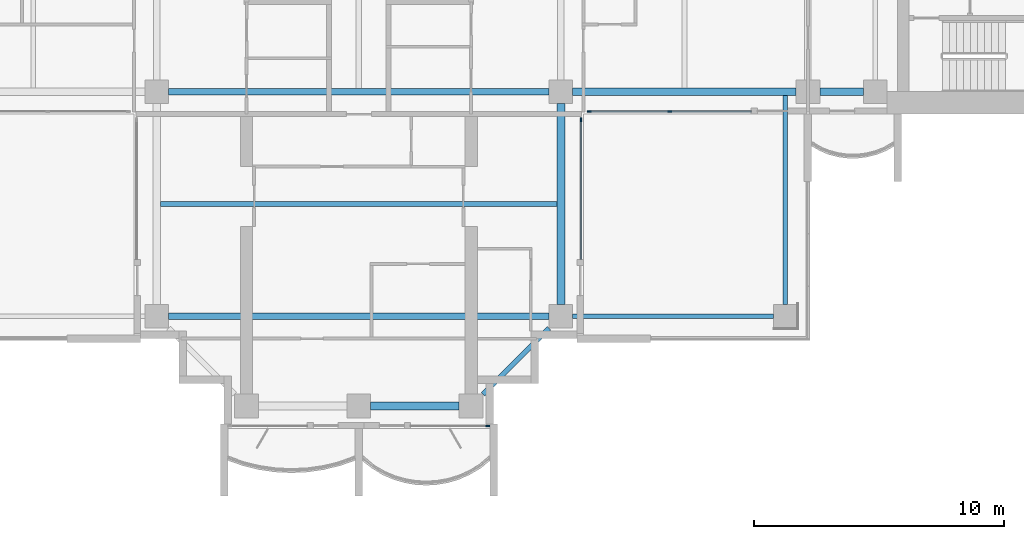
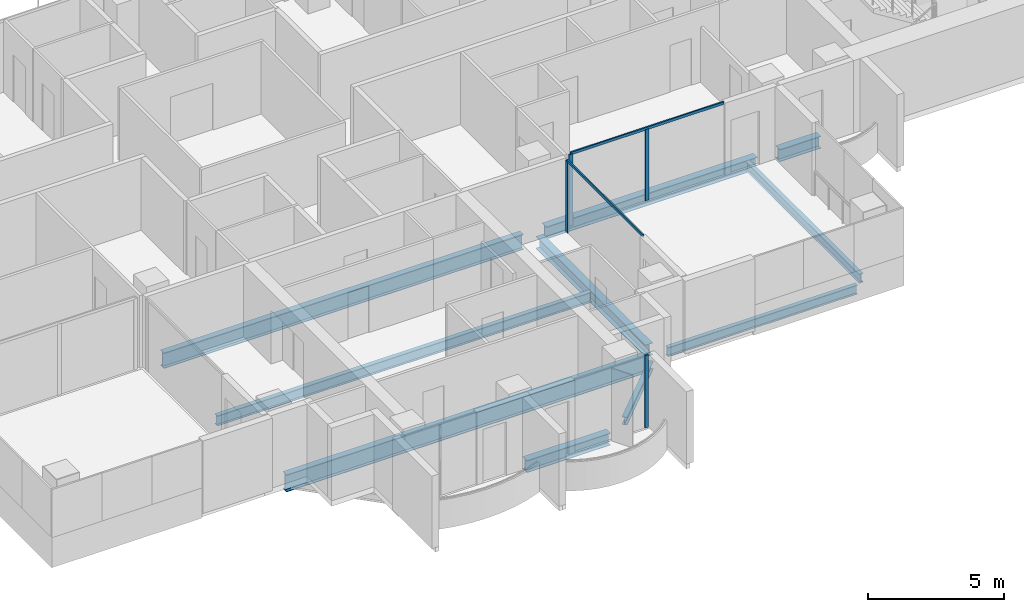
# One storey, part 3 of 18: 10 beams, 6 members, 3 elements without a shape of their own.
"""IFC4 building model written with IfcOpenShell, lengths in metres."""

from ifc_helpers import new_model, si_unit, direction, frame, origin, origin_2d, place, context, subcontext, project, spatial, rectangle, i_section, extrude, material, material_profile, profile_set, type_object, element, aggregate, save


model = new_model("IFC4")

# Units and contexts
model_context = context("Model", 3, precision=1e-05, world=origin(), true_north=direction((0.0, 1.0)))
body_context = subcontext(model_context, "Body", "Model", "MODEL_VIEW")
ifc_project = project(units=[si_unit("LENGTHUNIT", "METRE"), si_unit("AREAUNIT", "SQUARE_METRE"), si_unit("VOLUMEUNIT", "CUBIC_METRE"), si_unit("PLANEANGLEUNIT", "RADIAN"), si_unit("MASSUNIT", "GRAM", prefix="KILO")], contexts=[model_context])

# Site, building, storey
site_placement = place(None, origin())
site = spatial("IfcSite", under=ifc_project, at=site_placement, CompositionType="ELEMENT")
building_placement = place(site_placement, origin())
building = spatial("IfcBuilding", under=site, at=building_placement, Name="Perihelion Cross Residences", CompositionType="ELEMENT")
storey_placement = place(building_placement, frame((0.0, 0.0, 173.60009765625)))
storey = spatial("IfcBuildingStorey", under=building, at=storey_placement, Name="L42", CompositionType="ELEMENT", Elevation=173.60009765625)

# Curtain wall, member
ifc_material_1 = material(Name="Bronze anodised aluminium, tinted glazing", Category="aluminium")
curtain_wall_type = type_object("IfcCurtainWallType", Name="CW1", PredefinedType="NOTDEFINED", material=ifc_material_1)
curtain_wall_1_placement = place(storey_placement, origin())
curtain_wall_1 = element("IfcCurtainWall", 1, at=curtain_wall_1_placement, inside=storey, type_object=curtain_wall_type, Name="Curtain wall CW1 L42 south tip south bay 2", PredefinedType="NOTDEFINED")
ifc_material_2 = material(Name="Bronze anodised aluminium", Category="aluminium")
ifc_material_profile_1 = material_profile(ifc_material_2, rectangle(XDim=0.06005859375, YDim=0.159912109375, at=origin_2d()), Name="CW1 mullion")
ifc_profile_set_1 = profile_set([ifc_material_profile_1], Name="Bronze anodised aluminium")
member_type_1 = type_object("IfcMemberType", Name="CW1 mullion", PredefinedType="MULLION", material=ifc_profile_set_1)
member_1_placement = place(storey_placement, frame((5.169921875, -21.5, 0.0), z_axis=(0.0, 0.0, 1.0), x_axis=(0.0, 1.0, 0.0)))
member_1 = element("IfcMember", 2, at=member_1_placement, type_object=member_type_1, Name="CW1 mullion 2", PredefinedType="MULLION", context=body_context, shape_type="SweptSolid", body=[
    extrude(rectangle(XDim=0.06005859375, YDim=0.159912109375, at=origin_2d()), origin(), (0.0, 0.0, 1.0), 3.25),
])
aggregate(curtain_wall_1, [member_1])

curtain_wall_2_placement = place(storey_placement, origin())
curtain_wall_2 = element("IfcCurtainWall", 3, at=curtain_wall_2_placement, inside=storey, type_object=curtain_wall_type, Name="Curtain wall CW1 L42 south side east bay 1", PredefinedType="NOTDEFINED")
member_2_placement = place(storey_placement, frame((8.89990234375, -9.22998046875, 0.0), z_axis=(0.0, 0.0, 1.0), x_axis=(-1.0, 0.0, 0.0)))
member_2 = element("IfcMember", 4, at=member_2_placement, type_object=member_type_1, Name="CW1 mullion 2", PredefinedType="MULLION", context=body_context, shape_type="SweptSolid", body=[
    extrude(rectangle(XDim=0.06005859375, YDim=0.159912109375, at=origin_2d()), origin(), (0.0, 0.0, 1.0), 3.18994140625),
])

# Curtain wall, members
curtain_wall_3_placement = place(storey_placement, origin())
curtain_wall_3 = element("IfcCurtainWall", 5, at=curtain_wall_3_placement, inside=storey, type_object=curtain_wall_type, Name="Curtain wall CW1 L42 east side south bay 1", PredefinedType="NOTDEFINED")
member_3_placement = place(storey_placement, frame((9.22998046875, -8.89990234375, 0.0), z_axis=(0.0, 0.0, 1.0), x_axis=(0.0, 1.0, 0.0)))
member_3 = element("IfcMember", 6, at=member_3_placement, type_object=member_type_1, Name="CW1 mullion 1", PredefinedType="MULLION", context=body_context, shape_type="SweptSolid", body=[
    extrude(rectangle(XDim=0.06005859375, YDim=0.159912109375, at=origin_2d()), origin(), (0.0, 0.0, 1.0), 3.18994140625),
])
member_4_placement = place(storey_placement, frame((12.46240234375, -8.89990234375, 0.0), z_axis=(0.0, 0.0, 1.0), x_axis=(0.0, 1.0, 0.0)))
member_4 = element("IfcMember", 7, at=member_4_placement, type_object=member_type_1, Name="CW1 mullion 2", PredefinedType="MULLION", context=body_context, shape_type="SweptSolid", body=[
    extrude(rectangle(XDim=0.06005859375, YDim=0.159912109375, at=origin_2d()), origin(), (0.0, 0.0, 1.0), 3.18994140625),
])

# Member
ifc_material_3 = material(Name="Bronze anodised aluminium", Category="aluminium")
ifc_material_profile_2 = material_profile(ifc_material_3, rectangle(XDim=0.06005859375, YDim=0.1201171875, at=origin_2d()), Name="CW1 transom")
ifc_profile_set_2 = profile_set([ifc_material_profile_2], Name="Bronze anodised aluminium")
member_type_2 = type_object("IfcMemberType", Name="CW1 transom", PredefinedType="USERDEFINED", material=ifc_profile_set_2)
member_5_placement = place(storey_placement, frame((8.89990234375, -14.824951171875, 3.219970703125), z_axis=(0.0, 1.0, 0.0), x_axis=(-1.0, 0.0, 0.0)))
member_5 = element("IfcMember", 8, at=member_5_placement, type_object=member_type_2, Name="CW1 head transom", ObjectType="TRANSOM", PredefinedType="USERDEFINED", context=body_context, shape_type="SweptSolid", body=[
    extrude(rectangle(XDim=0.06005859375, YDim=0.1201171875, at=origin_2d()), origin(), (0.0, 0.0, 1.0), 5.594970703125),
])

aggregate(curtain_wall_2, [member_2, member_5])

member_6_placement = place(storey_placement, frame((9.22998046875, -8.89990234375, 3.219970703125), z_axis=(1.0, 0.0, 0.0), x_axis=(0.0, 1.0, 0.0)))
member_6 = element("IfcMember", 9, at=member_6_placement, type_object=member_type_2, Name="CW1 head transom", ObjectType="TRANSOM", PredefinedType="USERDEFINED", context=body_context, shape_type="SweptSolid", body=[
    extrude(rectangle(XDim=0.06005859375, YDim=0.1201171875, at=origin_2d()), origin(), (0.0, 0.0, 1.0), 6.4951171875),
])

aggregate(curtain_wall_3, [member_3, member_4, member_6])

# Beams
ifc_material_4 = material(Name="Steel S355", Category="steel")
ifc_material_profile_3 = material_profile(ifc_material_4, i_section(OverallWidth=0.177978515625, OverallDepth=0.406005859375, WebThickness=0.0078125, FlangeThickness=0.0126953125, at=origin_2d()), Name="W410x60")
ifc_profile_set_3 = profile_set([ifc_material_profile_3], Name="Steel S355")
beam_type_1 = type_object("IfcBeamType", Name="Core edge beam W410x60", PredefinedType="BEAM", material=ifc_profile_set_3)
beam_1_placement = place(storey_placement, frame((17.10009765625, -8.256103515625, -0.453125), z_axis=(0.0, -1.0, 0.0), x_axis=(1.0, 0.0, 0.0)))
element("IfcBeam", 10, at=beam_1_placement, inside=storey, type_object=beam_type_1, Name="Core edge beam TB2 L42 corner no. 3", PredefinedType="BEAM", context=body_context, shape_type="SweptSolid", body=[
    extrude(i_section(OverallWidth=0.177978515625, OverallDepth=0.406005859375, WebThickness=0.0078125, FlangeThickness=0.0126953125, at=origin_2d()), origin(), (0.0, 0.0, 1.0), 8.368896484375),
])
beam_2_placement = place(storey_placement, frame((8.574951171875, -17.10009765625, -0.453125), z_axis=(1.0, 0.0, 0.0), x_axis=(0.0, 1.0, 0.0)))
element("IfcBeam", 11, at=beam_2_placement, inside=storey, type_object=beam_type_1, Name="Core edge beam TB2 L42 corner no. 4", PredefinedType="BEAM", context=body_context, shape_type="SweptSolid", body=[
    extrude(i_section(OverallWidth=0.177978515625, OverallDepth=0.406005859375, WebThickness=0.0078125, FlangeThickness=0.0126953125, at=origin_2d()), origin(), (0.0, 0.0, 1.0), 8.050048828125),
])
ifc_material_5 = material(Name="Steel S355", Category="steel")
ifc_material_profile_4 = material_profile(ifc_material_5, i_section(OverallWidth=0.31201171875, OverallDepth=0.5439453125, WebThickness=0.0126953125, FlangeThickness=0.020263671875, at=origin_2d()), Name="W530x150")
ifc_profile_set_4 = profile_set([ifc_material_profile_4], Name="Steel S355")
beam_type_2 = type_object("IfcBeamType", Name="Edge beam W530x150", PredefinedType="SPANDREL", material=ifc_profile_set_4)
beam_3_placement = place(storey_placement, frame((0.47509765625, -20.699951171875, -0.522216796875), z_axis=(1.0, 0.0, 0.0), x_axis=(0.0, 1.0, 0.0)))
element("IfcBeam", 12, at=beam_3_placement, inside=storey, type_object=beam_type_2, Name="Edge beam SB4 L42 no. 7", PredefinedType="SPANDREL", context=body_context, shape_type="SweptSolid", body=[
    extrude(i_section(OverallWidth=0.31201171875, OverallDepth=0.5439453125, WebThickness=0.0126953125, FlangeThickness=0.020263671875, at=origin_2d()), origin(), (0.0, 0.0, 1.0), 3.5498046875),
])
beam_4_placement = place(storey_placement, frame((8.10009765625, -16.625, -0.522216796875), z_axis=(0.0, 1.0, 0.0), x_axis=(-1.0, 0.0, 0.0)))
element("IfcBeam", 13, at=beam_4_placement, inside=storey, type_object=beam_type_2, Name="Edge beam SB4 L42 no. 11", PredefinedType="SPANDREL", context=body_context, shape_type="SweptSolid", body=[
    extrude(i_section(OverallWidth=0.31201171875, OverallDepth=0.5439453125, WebThickness=0.0126953125, FlangeThickness=0.020263671875, at=origin_2d()), origin(), (0.0, 0.0, 1.0), 8.050048828125),
])
beam_5_placement = place(storey_placement, frame((8.574951171875, -8.10009765625, -0.522216796875), z_axis=(1.0, 0.0, 0.0), x_axis=(0.0, 1.0, 0.0)))
element("IfcBeam", 14, at=beam_5_placement, inside=storey, type_object=beam_type_2, Name="Edge beam SB4 L42 no. 12", PredefinedType="SPANDREL", context=body_context, shape_type="SweptSolid", body=[
    extrude(i_section(OverallWidth=0.31201171875, OverallDepth=0.5439453125, WebThickness=0.0126953125, FlangeThickness=0.020263671875, at=origin_2d()), origin(), (0.0, 0.0, 1.0), 8.949951171875),
])
beam_6_placement = place(storey_placement, frame((18.47509765625, -8.10009765625, -0.522216796875), z_axis=(1.0, 0.0, 0.0), x_axis=(0.0, 1.0, 0.0)))
element("IfcBeam", 15, at=beam_6_placement, inside=storey, type_object=beam_type_2, Name="Edge beam SB4 L42 no. 8", PredefinedType="SPANDREL", context=body_context, shape_type="SweptSolid", body=[
    extrude(i_section(OverallWidth=0.31201171875, OverallDepth=0.5439453125, WebThickness=0.0126953125, FlangeThickness=0.020263671875, at=origin_2d()), origin(), (0.0, 0.0, 1.0), 1.75),
])
ifc_material_6 = material(Name="Steel S355", Category="steel")
ifc_material_profile_5 = material_profile(ifc_material_6, i_section(OverallWidth=0.26708984375, OverallDepth=0.77001953125, WebThickness=0.015625, FlangeThickness=0.025390625, at=origin_2d()), Name="W760x196")
ifc_profile_set_5 = profile_set([ifc_material_profile_5], Name="Steel S355")
beam_type_3 = type_object("IfcBeamType", Name="Floor girder W760x196", PredefinedType="BEAM", material=ifc_profile_set_5)
beam_7_placement = place(storey_placement, frame((-7.625, -17.10009765625, -0.635009765625), z_axis=(1.0, 0.0, 0.0), x_axis=(0.0, 1.0, 0.0)))
element("IfcBeam", 16, at=beam_7_placement, inside=storey, type_object=beam_type_3, Name="Girder G4 L42 no. 3", PredefinedType="BEAM", context=body_context, shape_type="SweptSolid", body=[
    extrude(i_section(OverallWidth=0.26708984375, OverallDepth=0.77001953125, WebThickness=0.015625, FlangeThickness=0.025390625, at=origin_2d()), origin(), (0.0, 0.0, 1.0), 15.25),
])
ifc_material_7 = material(Name="Steel S355", Category="steel")
ifc_material_profile_6 = material_profile(ifc_material_7, i_section(OverallWidth=0.19091796875, OverallDepth=0.45703125, WebThickness=0.009033203125, FlangeThickness=0.014404296875, at=origin_2d()), Name="W460x74")
ifc_profile_set_6 = profile_set([ifc_material_profile_6], Name="Steel S355")
beam_type_4 = type_object("IfcBeamType", Name="Floor joist W460x74", PredefinedType="JOIST", material=ifc_profile_set_6)
beam_8_placement = place(storey_placement, frame((-7.944091796875, -12.60009765625, -0.478515625), z_axis=(1.0, 0.0, 0.0), x_axis=(0.0, 1.0, 0.0)))
element("IfcBeam", 17, at=beam_8_placement, inside=storey, type_object=beam_type_4, Name="Joist J5 L42 no. 3", PredefinedType="JOIST", context=body_context, shape_type="SweptSolid", body=[
    extrude(i_section(OverallWidth=0.19091796875, OverallDepth=0.45703125, WebThickness=0.009033203125, FlangeThickness=0.014404296875, at=origin_2d()), origin(), (0.0, 0.0, 1.0), 15.88818359375),
])
ifc_material_8 = material(Name="Steel S355", Category="steel")
ifc_material_profile_7 = material_profile(ifc_material_8, i_section(OverallWidth=0.257080078125, OverallDepth=0.693115234375, WebThickness=0.014404296875, FlangeThickness=0.023681640625, at=origin_2d()), Name="W690x170")
ifc_profile_set_7 = profile_set([ifc_material_profile_7], Name="Steel S355")
beam_type_5 = type_object("IfcBeamType", Name="Hub ring girder W690x170", PredefinedType="BEAM", material=ifc_profile_set_7)
beam_9_placement = place(storey_placement, frame((-7.625, -8.10009765625, -0.5966796875), z_axis=(1.0, 0.0, 0.0), x_axis=(0.0, 1.0, 0.0)))
element("IfcBeam", 18, at=beam_9_placement, inside=storey, type_object=beam_type_5, Name="Hub ring girder RG4 L42 no. 1", PredefinedType="BEAM", context=body_context, shape_type="SweptSolid", body=[
    extrude(i_section(OverallWidth=0.257080078125, OverallDepth=0.693115234375, WebThickness=0.014404296875, FlangeThickness=0.023681640625, at=origin_2d()), origin(), (0.0, 0.0, 1.0), 15.25),
])
ifc_material_9 = material(Name="Steel S355", Category="steel")
ifc_material_profile_8 = material_profile(ifc_material_9, i_section(OverallWidth=0.205078125, OverallDepth=0.35302734375, WebThickness=0.009521484375, FlangeThickness=0.016845703125, at=origin_2d()), Name="W360x79")
ifc_profile_set_8 = profile_set([ifc_material_profile_8], Name="Steel S355")
beam_type_6 = type_object("IfcBeamType", Name="Serration edge beam W360x79", PredefinedType="BEAM", material=ifc_profile_set_8)
beam_10_placement = place(storey_placement, frame((4.97509765625, -20.22509765625, -0.426513671875), z_axis=(0.70707420838, 0.707139352493, 0.0), x_axis=(-0.707139352493, 0.70707420838, 0.0)))
element("IfcBeam", 19, at=beam_10_placement, inside=storey, type_object=beam_type_6, Name="Serration edge beam EB4 L42 no. 2", PredefinedType="BEAM", context=body_context, shape_type="SweptSolid", body=[
    extrude(i_section(OverallWidth=0.205078125, OverallDepth=0.35302734375, WebThickness=0.009521484375, FlangeThickness=0.016845703125, at=origin_2d()), origin(), (0.0, 0.0, 1.0), 3.747802734375),
])

save(model, "model.ifc")
